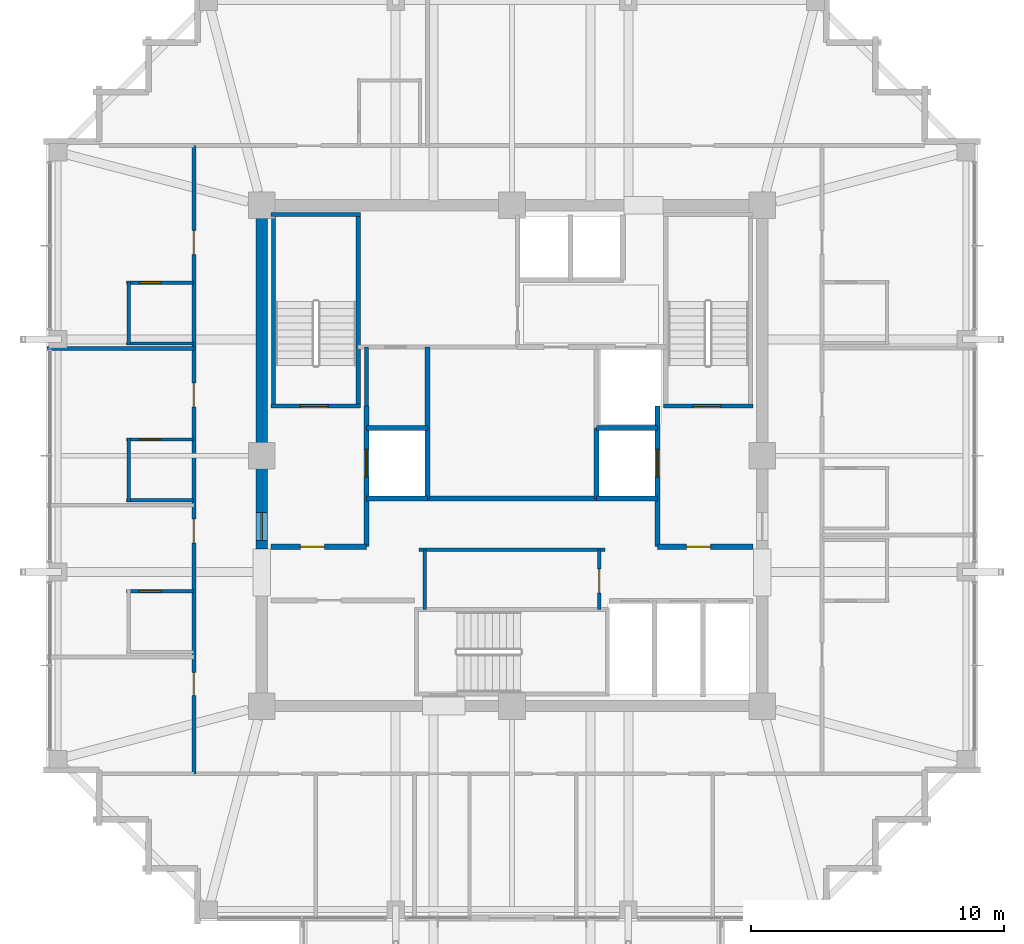
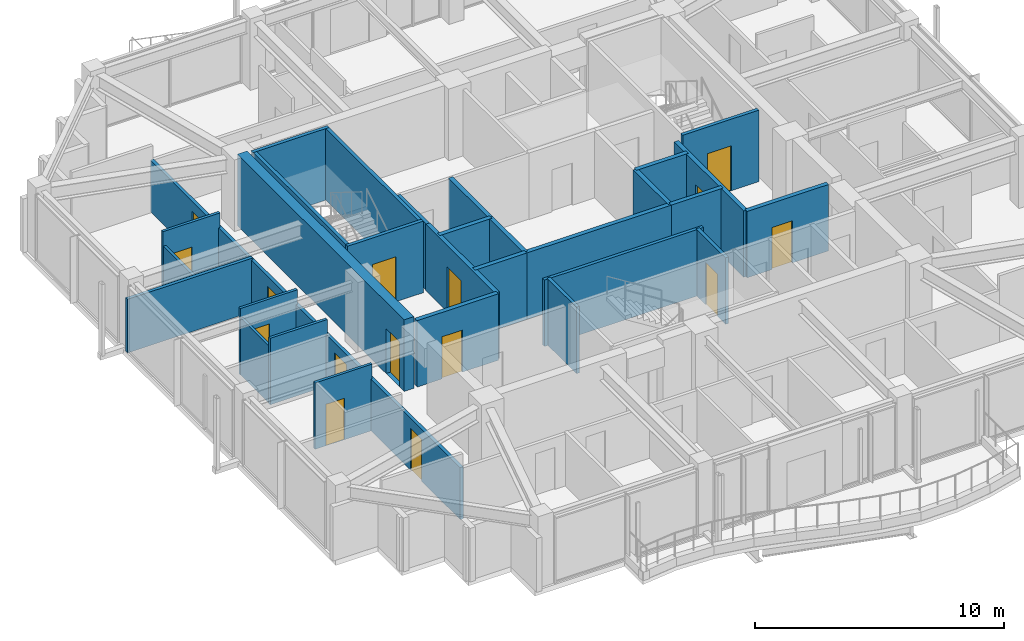
# One storey, part 27 of 31: 31 walls, 15 doors, 15 openings.
"""IFC4 building model written with IfcOpenShell, lengths in metres."""

from ifc_helpers import new_model, si_unit, direction, frame, frame_2d, origin, place, context, subcontext, project, spatial, rectangle, extrude, material, layer, layer_set, type_object, element, fill, save


model = new_model("IFC4")

# Units and contexts
model_context = context("Model", 3, precision=1e-05, world=origin(), true_north=direction((0.0, 1.0)))
body_context = subcontext(model_context, "Body", "Model", "MODEL_VIEW")
ifc_project = project(units=[si_unit("LENGTHUNIT", "METRE"), si_unit("AREAUNIT", "SQUARE_METRE"), si_unit("VOLUMEUNIT", "CUBIC_METRE"), si_unit("PLANEANGLEUNIT", "RADIAN"), si_unit("MASSUNIT", "GRAM", prefix="KILO")], contexts=[model_context])

# Site, building, storey
site_placement = place(None, origin())
site = spatial("IfcSite", under=ifc_project, at=site_placement, CompositionType="ELEMENT")
building_placement = place(site_placement, origin())
building = spatial("IfcBuilding", under=site, at=building_placement, Name="Kolvaren Belvedere", CompositionType="ELEMENT")
storey_placement = place(building_placement, frame((0.0, 0.0, 247.89990234375)))
storey = spatial("IfcBuildingStorey", under=building, at=storey_placement, Name="L72", CompositionType="ELEMENT", Elevation=247.89990234375)

# Wall, opening, door
ifc_material_1 = material(Name="Concrete C50/60", Category="concrete")
ifc_layer_1 = layer(ifc_material_1, 0.449951171875)
ifc_layer_set_1 = layer_set([ifc_layer_1], Name="Concrete C50/60")
wall_type_1 = type_object("IfcWallType", Name="CW-CORE-450", PredefinedType="SHEAR", material=ifc_layer_set_1)
wall_1_placement = place(storey_placement, frame((-9.89990234375, -3.699951171875, 0.0), z_axis=(0.0, 0.0, 1.0), x_axis=(0.0, 1.0, 0.0)))
wall_1 = element("IfcWall", 1, at=wall_1_placement, inside=storey, type_object=wall_type_1, Name="L72 West Core Shear Wall 2", PredefinedType="SHEAR", context=body_context, shape_type="SweptSolid", body=[
    extrude(rectangle(XDim=13.375, YDim=0.449951171875, at=frame_2d((6.6875, 0.0))), origin(), (0.0, 0.0, 1.0), 3.5),
])
opening_1_placement = place(wall_1_placement, frame((0.35009765625, 0.0, 0.0)))
opening_1 = element("IfcOpeningElement", 2, at=opening_1_placement, cuts=wall_1, Name="Opening D-FD90", PredefinedType="OPENING", context=body_context, shape_type="SweptSolid", body=[
    extrude(rectangle(XDim=1.10009765625, YDim=2.199951171875, at=frame_2d((0.550048828125, 1.10009765625))), frame((0.0, 0.23486328125, 0.0), z_axis=(0.0, -1.0, 0.0), x_axis=(1.0, 0.0, 0.0)), (0.0, 0.0, 1.0), 0.469970703125),
])
ifc_material_2 = material(Name="Painted hollow stainless steel", Category="steel")
door_type_1 = type_object("IfcDoorType", Name="DR-FD90-1100", OperationType="NOTDEFINED", PredefinedType="DOOR", material=ifc_material_2)
door_1_placement = place(opening_1_placement, origin())
door_1 = element("IfcDoor", 3, at=door_1_placement, inside=storey, type_object=door_type_1, Name="L72 West Firefighting Lobby Fire Door", OperationType="SINGLE_SWING_LEFT", OverallHeight=2.199951171875, OverallWidth=1.10009765625, PredefinedType="DOOR", context=body_context, shape_type="SweptSolid", body=[
    extrude(rectangle(XDim=1.10009765625, YDim=2.199951171875, at=frame_2d((0.550048828125, 1.10009765625))), frame((0.0, 0.02490234375, 0.0), z_axis=(0.0, -1.0, 0.0), x_axis=(1.0, 0.0, 0.0)), (0.0, 0.0, 1.0), 0.050048828125),
])
fill(opening_1, door_1)

ifc_material_3 = material(Name="Concrete C50/60", Category="concrete")
ifc_layer_2 = layer(ifc_material_3, 0.159912109375)
ifc_layer_set_2 = layer_set([ifc_layer_2], Name="Concrete C50/60")
wall_type_2 = type_object("IfcWallType", Name="CW-STAIR-160", PredefinedType="SHEAR", material=ifc_layer_set_2)
wall_2_placement = place(storey_placement, frame((-9.52001953125, 1.969970703125, 0.0), z_axis=(0.0, 0.0, 1.0), x_axis=(1.0, 0.0, 0.0)))
wall_2 = element("IfcWall", 4, at=wall_2_placement, inside=storey, type_object=wall_type_2, Name="L72 Stair ST-1 South Shear Wall", PredefinedType="SHEAR", context=body_context, shape_type="SweptSolid", body=[
    extrude(rectangle(XDim=3.52001953125, YDim=0.159912109375, at=frame_2d((1.760009765625, 0.0))), origin(), (0.0, 0.0, 1.0), 3.5),
])
opening_2_placement = place(wall_2_placement, frame((1.14990234375, 0.0, 0.0)))
opening_2 = element("IfcOpeningElement", 5, at=opening_2_placement, cuts=wall_2, Name="Opening D-FD90", PredefinedType="OPENING", context=body_context, shape_type="SweptSolid", body=[
    extrude(rectangle(XDim=1.10009765625, YDim=2.199951171875, at=frame_2d((0.550048828125, 1.10009765625))), frame((0.0, 0.08984375, 0.0), z_axis=(0.0, -1.0, 0.0), x_axis=(1.0, 0.0, 0.0)), (0.0, 0.0, 1.0), 0.179931640625),
])
door_2_placement = place(opening_2_placement, origin())
door_2 = element("IfcDoor", 6, at=door_2_placement, inside=storey, type_object=door_type_1, Name="L72 Stair ST-1 Fire Door", OperationType="SINGLE_SWING_LEFT", OverallHeight=2.199951171875, OverallWidth=1.10009765625, PredefinedType="DOOR", context=body_context, shape_type="SweptSolid", body=[
    extrude(rectangle(XDim=1.10009765625, YDim=2.199951171875, at=frame_2d((0.550048828125, 1.10009765625))), frame((0.0, 0.02490234375, 0.0), z_axis=(0.0, -1.0, 0.0), x_axis=(1.0, 0.0, 0.0)), (0.0, 0.0, 1.0), 0.050048828125),
])
fill(opening_2, door_2)

# Walls
wall_3_placement = place(storey_placement, frame((-9.52001953125, 9.530029296875, 0.0), z_axis=(0.0, 0.0, 1.0), x_axis=(1.0, 0.0, 0.0)))
element("IfcWall", 7, at=wall_3_placement, inside=storey, type_object=wall_type_2, Name="L72 Stair ST-1 North Shear Wall", PredefinedType="SHEAR", context=body_context, shape_type="SweptSolid", body=[
    extrude(rectangle(XDim=3.52001953125, YDim=0.159912109375, at=frame_2d((1.760009765625, 0.0))), origin(), (0.0, 0.0, 1.0), 3.5),
])
for number, where, z_axis, x_axis, name in (
    (8, (-9.429931640625, 1.969970703125, 0.0), (0.0, 0.0, 1.0), (0.0, 1.0, 0.0), "L72 Stair ST-1 West Shear Wall"),
    (9, (-6.080078125, 1.969970703125, 0.0), (0.0, 0.0, 1.0), (0.0, 1.0, 0.0), "L72 Stair ST-1 East Shear Wall"),
):
    element("IfcWall", number, at=place(storey_placement, frame(where, z_axis=z_axis, x_axis=x_axis)), inside=storey, type_object=wall_type_2, Name=name, PredefinedType="SHEAR", context=body_context, shape_type="SweptSolid", body=[
        extrude(rectangle(XDim=7.56005859375, YDim=0.159912109375, at=frame_2d((3.780029296875, 0.0))), origin(), (0.0, 0.0, 1.0), 3.5),
    ])

# Wall, opening, door
wall_4_placement = place(storey_placement, frame((6.0, 1.969970703125, 0.0), z_axis=(0.0, 0.0, 1.0), x_axis=(1.0, 0.0, 0.0)))
wall_4 = element("IfcWall", 10, at=wall_4_placement, inside=storey, type_object=wall_type_2, Name="L72 Stair ST-2 South Shear Wall", PredefinedType="SHEAR", context=body_context, shape_type="SweptSolid", body=[
    extrude(rectangle(XDim=3.52001953125, YDim=0.159912109375, at=frame_2d((1.760009765625, 0.0))), origin(), (0.0, 0.0, 1.0), 3.5),
])
opening_3_placement = place(wall_4_placement, frame((1.14990234375, 0.0, 0.0)))
opening_3 = element("IfcOpeningElement", 11, at=opening_3_placement, cuts=wall_4, Name="Opening D-FD90", PredefinedType="OPENING", context=body_context, shape_type="SweptSolid", body=[
    extrude(rectangle(XDim=1.10009765625, YDim=2.199951171875, at=frame_2d((0.550048828125, 1.10009765625))), frame((0.0, 0.08984375, 0.0), z_axis=(0.0, -1.0, 0.0), x_axis=(1.0, 0.0, 0.0)), (0.0, 0.0, 1.0), 0.179931640625),
])
door_3_placement = place(opening_3_placement, origin())
door_3 = element("IfcDoor", 12, at=door_3_placement, inside=storey, type_object=door_type_1, Name="L72 Stair ST-2 Fire Door", OperationType="SINGLE_SWING_RIGHT", OverallHeight=2.199951171875, OverallWidth=1.10009765625, PredefinedType="DOOR", context=body_context, shape_type="SweptSolid", body=[
    extrude(rectangle(XDim=1.10009765625, YDim=2.199951171875, at=frame_2d((0.550048828125, 1.10009765625))), frame((0.0, 0.02490234375, 0.0), z_axis=(0.0, -1.0, 0.0), x_axis=(1.0, 0.0, 0.0)), (0.0, 0.0, 1.0), 0.050048828125),
])
fill(opening_3, door_3)

# Wall, openings, doors
ifc_material_4 = material(Name="Gypsum fire-rated partition assembly", Category="gypsum")
ifc_layer_3 = layer(ifc_material_4, 0.14990234375)
ifc_layer_set_3 = layer_set([ifc_layer_3], Name="Gypsum fire-rated partition assembly")
wall_type_3 = type_object("IfcWallType", Name="WL-CORR-150", PredefinedType="PARTITIONING", material=ifc_layer_set_3)
wall_5_placement = place(storey_placement, frame((-12.580078125, -12.580078125, 0.0), z_axis=(0.0, 0.0, 1.0), x_axis=(0.0, 1.0, 0.0)))
wall_5 = element("IfcWall", 13, at=wall_5_placement, inside=storey, type_object=wall_type_3, Name="L72 West Corridor Wall", PredefinedType="PARTITIONING", context=body_context, shape_type="SweptSolid", body=[
    extrude(rectangle(XDim=24.840087890625, YDim=0.14990234375, at=frame_2d((12.419921875, 0.0))), origin(), (0.0, 0.0, 1.0), 2.5390625),
])
opening_4_placement = place(wall_5_placement, frame((3.1044921875, 0.0, 0.0)))
opening_4 = element("IfcOpeningElement", 14, at=opening_4_placement, cuts=wall_5, Name="Opening D-INT90", PredefinedType="OPENING", context=body_context, shape_type="SweptSolid", body=[
    extrude(rectangle(XDim=0.89990234375, YDim=2.06005859375, at=frame_2d((0.449951171875, 1.030029296875))), frame((0.0, 0.0849609375, 0.0), z_axis=(0.0, -1.0, 0.0), x_axis=(1.0, 0.0, 0.0)), (0.0, 0.0, 1.0), 0.169921875),
])
opening_5_placement = place(wall_5_placement, frame((9.119384765625, 0.0, 0.0)))
opening_5 = element("IfcOpeningElement", 15, at=opening_5_placement, cuts=wall_5, Name="Opening D-FD60", PredefinedType="OPENING", context=body_context, shape_type="SweptSolid", body=[
    extrude(rectangle(XDim=0.949951171875, YDim=2.06005859375, at=frame_2d((0.47509765625, 1.030029296875))), frame((0.0, 0.0849609375, 0.0), z_axis=(0.0, -1.0, 0.0), x_axis=(1.0, 0.0, 0.0)), (0.0, 0.0, 1.0), 0.169921875),
])
opening_6_placement = place(wall_5_placement, frame((14.49951171875, 0.0, 0.0)))
opening_6 = element("IfcOpeningElement", 16, at=opening_6_placement, cuts=wall_5, Name="Opening D-FD60", PredefinedType="OPENING", context=body_context, shape_type="SweptSolid", body=[
    extrude(rectangle(XDim=0.949951171875, YDim=2.06005859375, at=frame_2d((0.47509765625, 1.030029296875))), frame((0.0, 0.0849609375, 0.0), z_axis=(0.0, -1.0, 0.0), x_axis=(1.0, 0.0, 0.0)), (0.0, 0.0, 1.0), 0.169921875),
])
opening_7_placement = place(wall_5_placement, frame((20.534423828125, 0.0, 0.0)))
opening_7 = element("IfcOpeningElement", 17, at=opening_7_placement, cuts=wall_5, Name="Opening D-FD60", PredefinedType="OPENING", context=body_context, shape_type="SweptSolid", body=[
    extrude(rectangle(XDim=0.949951171875, YDim=2.06005859375, at=frame_2d((0.47509765625, 1.030029296875))), frame((0.0, 0.0849609375, 0.0), z_axis=(0.0, -1.0, 0.0), x_axis=(1.0, 0.0, 0.0)), (0.0, 0.0, 1.0), 0.169921875),
])
ifc_material_5 = material(Name="Acoustic white-oak fire door leaf", Category="timber")
door_type_2 = type_object("IfcDoorType", Name="DR-FD60-950", OperationType="NOTDEFINED", PredefinedType="DOOR", material=ifc_material_5)
door_4_placement = place(opening_5_placement, origin())
door_4 = element("IfcDoor", 18, at=door_4_placement, inside=storey, type_object=door_type_2, Name="L72 King Guest Room 7209 Entry Door", OperationType="SINGLE_SWING_RIGHT", OverallHeight=2.06005859375, OverallWidth=0.949951171875, PredefinedType="DOOR", context=body_context, shape_type="SweptSolid", body=[
    extrude(rectangle(XDim=0.949951171875, YDim=2.06005859375, at=frame_2d((0.47509765625, 1.030029296875))), frame((0.0, 0.02490234375, 0.0), z_axis=(0.0, -1.0, 0.0), x_axis=(1.0, 0.0, 0.0)), (0.0, 0.0, 1.0), 0.050048828125),
])
fill(opening_5, door_4)
door_5_placement = place(opening_6_placement, origin())
door_5 = element("IfcDoor", 19, at=door_5_placement, inside=storey, type_object=door_type_2, Name="L72 Botanical Hospitality Suite 7210 Entry Door", OperationType="SINGLE_SWING_RIGHT", OverallHeight=2.06005859375, OverallWidth=0.949951171875, PredefinedType="DOOR", context=body_context, shape_type="SweptSolid", body=[
    extrude(rectangle(XDim=0.949951171875, YDim=2.06005859375, at=frame_2d((0.47509765625, 1.030029296875))), frame((0.0, 0.02490234375, 0.0), z_axis=(0.0, -1.0, 0.0), x_axis=(1.0, 0.0, 0.0)), (0.0, 0.0, 1.0), 0.050048828125),
])
fill(opening_6, door_5)
door_6_placement = place(opening_7_placement, origin())
door_6 = element("IfcDoor", 20, at=door_6_placement, inside=storey, type_object=door_type_2, Name="L72 Botanical Hospitality Suite 7211 Entry Door", OperationType="SINGLE_SWING_RIGHT", OverallHeight=2.06005859375, OverallWidth=0.949951171875, PredefinedType="DOOR", context=body_context, shape_type="SweptSolid", body=[
    extrude(rectangle(XDim=0.949951171875, YDim=2.06005859375, at=frame_2d((0.47509765625, 1.030029296875))), frame((0.0, 0.02490234375, 0.0), z_axis=(0.0, -1.0, 0.0), x_axis=(1.0, 0.0, 0.0)), (0.0, 0.0, 1.0), 0.050048828125),
])
fill(opening_7, door_6)
ifc_material_6 = material(Name="Stained Pacific white oak", Category="timber")
door_type_3 = type_object("IfcDoorType", Name="DR-INT-900", OperationType="NOTDEFINED", PredefinedType="DOOR", material=ifc_material_6)
door_7_placement = place(opening_4_placement, origin())
door_7 = element("IfcDoor", 21, at=door_7_placement, inside=storey, type_object=door_type_3, Name="L72 Lounge 7208 Door", OperationType="SINGLE_SWING_RIGHT", OverallHeight=2.06005859375, OverallWidth=0.89990234375, PredefinedType="DOOR", context=body_context, shape_type="SweptSolid", body=[
    extrude(rectangle(XDim=0.89990234375, YDim=2.06005859375, at=frame_2d((0.449951171875, 1.030029296875))), frame((0.0, 0.02490234375, 0.0), z_axis=(0.0, -1.0, 0.0), x_axis=(1.0, 0.0, 0.0)), (0.0, 0.0, 1.0), 0.050048828125),
])
fill(opening_4, door_7)

# Wall
ifc_material_7 = material(Name="Gypsum acoustic partition assembly", Category="gypsum")
ifc_layer_4 = layer(ifc_material_7, 0.14990234375)
ifc_layer_set_4 = layer_set([ifc_layer_4], Name="Gypsum acoustic partition assembly")
wall_type_4 = type_object("IfcWallType", Name="WL-PART-150", PredefinedType="PARTITIONING", material=ifc_layer_set_4)
wall_6_placement = place(storey_placement, frame((-3.679931640625, -3.719970703125, 0.0), z_axis=(0.0, 0.0, 1.0), x_axis=(1.0, 0.0, 0.0)))
element("IfcWall", 22, at=wall_6_placement, inside=storey, type_object=wall_type_4, Name="L72 South Core Service North Wall", PredefinedType="PARTITIONING", context=body_context, shape_type="SweptSolid", body=[
    extrude(rectangle(XDim=7.35986328125, YDim=0.14990234375, at=frame_2d((3.679931640625, 0.0))), origin(), (0.0, 0.0, 1.0), 3.25),
])

# Wall, opening, door
wall_7_placement = place(storey_placement, frame((3.449951171875, -6.080078125, 0.0), z_axis=(0.0, 0.0, 1.0), x_axis=(0.0, 1.0, 0.0)))
wall_7 = element("IfcWall", 23, at=wall_7_placement, inside=storey, type_object=wall_type_4, Name="L72 South Core Service East Wall", PredefinedType="PARTITIONING", context=body_context, shape_type="SweptSolid", body=[
    extrude(rectangle(XDim=2.360107421875, YDim=0.14990234375, at=frame_2d((1.18017578125, 0.0))), origin(), (0.0, 0.0, 1.0), 3.25),
])
opening_8_placement = place(wall_7_placement, frame((0.64990234375, 0.0, 0.0)))
opening_8 = element("IfcOpeningElement", 24, at=opening_8_placement, cuts=wall_7, Name="Opening D-FD60", PredefinedType="OPENING", context=body_context, shape_type="SweptSolid", body=[
    extrude(rectangle(XDim=0.949951171875, YDim=2.06005859375, at=frame_2d((0.47509765625, 1.030029296875))), frame((0.0, 0.0849609375, 0.0), z_axis=(0.0, -1.0, 0.0), x_axis=(1.0, 0.0, 0.0)), (0.0, 0.0, 1.0), 0.169921875),
])
door_8_placement = place(opening_8_placement, origin())
door_8 = element("IfcDoor", 25, at=door_8_placement, inside=storey, type_object=door_type_2, Name="L72 Core Service Room Door", OperationType="SINGLE_SWING_LEFT", OverallHeight=2.06005859375, OverallWidth=0.949951171875, PredefinedType="DOOR", context=body_context, shape_type="SweptSolid", body=[
    extrude(rectangle(XDim=0.949951171875, YDim=2.06005859375, at=frame_2d((0.47509765625, 1.030029296875))), frame((0.0, 0.02490234375, 0.0), z_axis=(0.0, -1.0, 0.0), x_axis=(1.0, 0.0, 0.0)), (0.0, 0.0, 1.0), 0.050048828125),
])
fill(opening_8, door_8)

# Walls
wall_8_placement = place(storey_placement, frame((-3.449951171875, -6.080078125, 0.0), z_axis=(0.0, 0.0, 1.0), x_axis=(0.0, 1.0, 0.0)))
element("IfcWall", 26, at=wall_8_placement, inside=storey, type_object=wall_type_4, Name="L72 South Core Service West Wall", PredefinedType="PARTITIONING", context=body_context, shape_type="SweptSolid", body=[
    extrude(rectangle(XDim=2.360107421875, YDim=0.14990234375, at=frame_2d((1.18017578125, 0.0))), origin(), (0.0, 0.0, 1.0), 3.25),
])
wall_9_placement = place(storey_placement, frame((-5.75, 1.969970703125, 0.0), z_axis=(0.0, 0.0, 1.0), x_axis=(0.0, 1.0, 0.0)))
element("IfcWall", 27, at=wall_9_placement, inside=storey, type_object=wall_type_4, Name="L72 NW Service Room West Wall", PredefinedType="PARTITIONING", context=body_context, shape_type="SweptSolid", body=[
    extrude(rectangle(XDim=2.330078125, YDim=0.14990234375, at=frame_2d((1.1650390625, 0.0))), origin(), (0.0, 0.0, 1.0), 3.25),
])
wall_10_placement = place(storey_placement, frame((-18.3798828125, 4.243896484375, 0.0), z_axis=(0.0, 0.0, 1.0), x_axis=(1.0, 0.0, 0.0)))
element("IfcWall", 28, at=wall_10_placement, inside=storey, type_object=wall_type_4, Name="L72 West Suite Demising Wall 3", PredefinedType="PARTITIONING", context=body_context, shape_type="SweptSolid", body=[
    extrude(rectangle(XDim=5.7998046875, YDim=0.14990234375, at=frame_2d((2.89990234375, 0.0))), origin(), (0.0, 0.0, 1.0), 2.623046875),
])

# Wall, opening, door
ifc_material_8 = material(Name="Concrete C50/60", Category="concrete")
ifc_layer_5 = layer(ifc_material_8, 0.199951171875)
ifc_layer_set_5 = layer_set([ifc_layer_5], Name="Concrete C50/60")
wall_type_5 = type_object("IfcWallType", Name="WL-SHAFT-200", PredefinedType="SOLIDWALL", material=ifc_layer_set_5)
wall_11_placement = place(storey_placement, frame((-9.52001953125, -3.60009765625, 0.0), z_axis=(0.0, 0.0, 1.0), x_axis=(1.0, 0.0, 0.0)))
wall_11 = element("IfcWall", 29, at=wall_11_placement, inside=storey, type_object=wall_type_5, Name="L72 West FSAE Lobby South Wall", PredefinedType="SOLIDWALL", context=body_context, shape_type="SweptSolid", body=[
    extrude(rectangle(XDim=3.77001953125, YDim=0.199951171875, at=frame_2d((1.885009765625, 0.0))), origin(), (0.0, 0.0, 1.0), 3.25),
])
opening_9_placement = place(wall_11_placement, frame((1.14990234375, 0.0, 0.0)))
opening_9 = element("IfcOpeningElement", 30, at=opening_9_placement, cuts=wall_11, Name="Opening D-FD60", PredefinedType="OPENING", context=body_context, shape_type="SweptSolid", body=[
    extrude(rectangle(XDim=0.949951171875, YDim=2.06005859375, at=frame_2d((0.47509765625, 1.030029296875))), frame((0.0, 0.10986328125, 0.0), z_axis=(0.0, -1.0, 0.0), x_axis=(1.0, 0.0, 0.0)), (0.0, 0.0, 1.0), 0.219970703125),
])
door_9_placement = place(opening_9_placement, origin())
door_9 = element("IfcDoor", 31, at=door_9_placement, inside=storey, type_object=door_type_2, Name="L72 SW Lobby Fire Door", OperationType="SINGLE_SWING_LEFT", OverallHeight=2.06005859375, OverallWidth=0.949951171875, PredefinedType="DOOR", context=body_context, shape_type="SweptSolid", body=[
    extrude(rectangle(XDim=0.949951171875, YDim=2.06005859375, at=frame_2d((0.47509765625, 1.030029296875))), frame((0.0, 0.02490234375, 0.0), z_axis=(0.0, -1.0, 0.0), x_axis=(1.0, 0.0, 0.0)), (0.0, 0.0, 1.0), 0.050048828125),
])
fill(opening_9, door_9)

wall_12_placement = place(storey_placement, frame((-5.75, -3.60009765625, 0.0), z_axis=(0.0, 0.0, 1.0), x_axis=(0.0, 1.0, 0.0)))
wall_12 = element("IfcWall", 32, at=wall_12_placement, inside=storey, type_object=wall_type_5, Name="L72 FSAE FS1 Landing Wall", PredefinedType="SOLIDWALL", context=body_context, shape_type="SweptSolid", body=[
    extrude(rectangle(XDim=5.570068359375, YDim=0.199951171875, at=frame_2d((2.78515625, 0.0))), origin(), (0.0, 0.0, 1.0), 3.25),
])
opening_10_placement = place(wall_12_placement, frame((2.75, 0.0, 0.0)))
opening_10 = element("IfcOpeningElement", 33, at=opening_10_placement, cuts=wall_12, Name="Opening LD-11", PredefinedType="OPENING", context=body_context, shape_type="SweptSolid", body=[
    extrude(rectangle(XDim=1.10009765625, YDim=2.199951171875, at=frame_2d((0.550048828125, 1.10009765625))), frame((0.0, 0.10986328125, 0.0), z_axis=(0.0, -1.0, 0.0), x_axis=(1.0, 0.0, 0.0)), (0.0, 0.0, 1.0), 0.219970703125),
])
ifc_material_9 = material(Name="Brushed stainless steel", Category="steel")
door_type_4 = type_object("IfcDoorType", Name="DR-LIFT-1100", OperationType="DOUBLE_DOOR_SLIDING", PredefinedType="DOOR", material=ifc_material_9)
door_10_placement = place(opening_10_placement, origin())
door_10 = element("IfcDoor", 34, at=door_10_placement, inside=storey, type_object=door_type_4, Name="L72 Firefighting Lift FS1 Landing Door", OperationType="DOUBLE_DOOR_SLIDING", OverallHeight=2.199951171875, OverallWidth=1.10009765625, PredefinedType="DOOR", context=body_context, shape_type="SweptSolid", body=[
    extrude(rectangle(XDim=1.10009765625, YDim=2.199951171875, at=frame_2d((0.550048828125, 1.10009765625))), frame((0.0, 0.02490234375, 0.0), z_axis=(0.0, -1.0, 0.0), x_axis=(1.0, 0.0, 0.0)), (0.0, 0.0, 1.0), 0.050048828125),
])
fill(opening_10, door_10)

# Walls
wall_13_placement = place(storey_placement, frame((-3.35009765625, -1.699951171875, 0.0), z_axis=(0.0, 0.0, 1.0), x_axis=(0.0, 1.0, 0.0)))
element("IfcWall", 35, at=wall_13_placement, inside=storey, type_object=wall_type_5, Name="L72 FSAE FS1 Back Wall", PredefinedType="SOLIDWALL", context=body_context, shape_type="SweptSolid", body=[
    extrude(rectangle(XDim=2.800048828125, YDim=0.199951171875, at=frame_2d((1.39990234375, 0.0))), origin(), (0.0, 0.0, 1.0), 3.25),
])
for number, where, z_axis, x_axis, name in (
    (36, (-5.75, -1.699951171875, 0.0), (0.0, 0.0, 1.0), (1.0, 0.0, 0.0), "L72 FSAE FS1 South Wall"),
    (37, (-5.75, 1.10009765625, 0.0), (0.0, 0.0, 1.0), (1.0, 0.0, 0.0), "L72 FSAE FS1 North Wall"),
):
    element("IfcWall", number, at=place(storey_placement, frame(where, z_axis=z_axis, x_axis=x_axis)), inside=storey, type_object=wall_type_5, Name=name, PredefinedType="SOLIDWALL", context=body_context, shape_type="SweptSolid", body=[
        extrude(rectangle(XDim=2.39990234375, YDim=0.199951171875, at=frame_2d((1.199951171875, 0.0))), origin(), (0.0, 0.0, 1.0), 3.25),
    ])

# Wall, opening, door
wall_14_placement = place(storey_placement, frame((5.75, -3.60009765625, 0.0), z_axis=(0.0, 0.0, 1.0), x_axis=(1.0, 0.0, 0.0)))
wall_14 = element("IfcWall", 38, at=wall_14_placement, inside=storey, type_object=wall_type_5, Name="L72 East FSAE Lobby South Wall", PredefinedType="SOLIDWALL", context=body_context, shape_type="SweptSolid", body=[
    extrude(rectangle(XDim=3.77001953125, YDim=0.199951171875, at=frame_2d((1.885009765625, 0.0))), origin(), (0.0, 0.0, 1.0), 3.25),
])
opening_11_placement = place(wall_14_placement, frame((1.14990234375, 0.0, 0.0)))
opening_11 = element("IfcOpeningElement", 39, at=opening_11_placement, cuts=wall_14, Name="Opening D-FD60", PredefinedType="OPENING", context=body_context, shape_type="SweptSolid", body=[
    extrude(rectangle(XDim=0.949951171875, YDim=2.06005859375, at=frame_2d((0.47509765625, 1.030029296875))), frame((0.0, 0.10986328125, 0.0), z_axis=(0.0, -1.0, 0.0), x_axis=(1.0, 0.0, 0.0)), (0.0, 0.0, 1.0), 0.219970703125),
])
door_11_placement = place(opening_11_placement, origin())
door_11 = element("IfcDoor", 40, at=door_11_placement, inside=storey, type_object=door_type_2, Name="L72 SE Lift Lobby Fire Door", OperationType="SINGLE_SWING_RIGHT", OverallHeight=2.06005859375, OverallWidth=0.949951171875, PredefinedType="DOOR", context=body_context, shape_type="SweptSolid", body=[
    extrude(rectangle(XDim=0.949951171875, YDim=2.06005859375, at=frame_2d((0.47509765625, 1.030029296875))), frame((0.0, 0.02490234375, 0.0), z_axis=(0.0, -1.0, 0.0), x_axis=(1.0, 0.0, 0.0)), (0.0, 0.0, 1.0), 0.050048828125),
])
fill(opening_11, door_11)

wall_15_placement = place(storey_placement, frame((5.75, -3.60009765625, 0.0), z_axis=(0.0, 0.0, 1.0), x_axis=(0.0, 1.0, 0.0)))
wall_15 = element("IfcWall", 41, at=wall_15_placement, inside=storey, type_object=wall_type_5, Name="L72 FSAE FS2 Landing Wall", PredefinedType="SOLIDWALL", context=body_context, shape_type="SweptSolid", body=[
    extrude(rectangle(XDim=5.570068359375, YDim=0.199951171875, at=frame_2d((2.78515625, 0.0))), origin(), (0.0, 0.0, 1.0), 3.25),
])
opening_12_placement = place(wall_15_placement, frame((2.75, 0.0, 0.0)))
opening_12 = element("IfcOpeningElement", 42, at=opening_12_placement, cuts=wall_15, Name="Opening LD-11", PredefinedType="OPENING", context=body_context, shape_type="SweptSolid", body=[
    extrude(rectangle(XDim=1.10009765625, YDim=2.199951171875, at=frame_2d((0.550048828125, 1.10009765625))), frame((0.0, 0.10986328125, 0.0), z_axis=(0.0, -1.0, 0.0), x_axis=(1.0, 0.0, 0.0)), (0.0, 0.0, 1.0), 0.219970703125),
])
door_12_placement = place(opening_12_placement, origin())
door_12 = element("IfcDoor", 43, at=door_12_placement, inside=storey, type_object=door_type_4, Name="L72 Firefighting Lift FS2 Landing Door", OperationType="DOUBLE_DOOR_SLIDING", OverallHeight=2.199951171875, OverallWidth=1.10009765625, PredefinedType="DOOR", context=body_context, shape_type="SweptSolid", body=[
    extrude(rectangle(XDim=1.10009765625, YDim=2.199951171875, at=frame_2d((0.550048828125, 1.10009765625))), frame((0.0, 0.02490234375, 0.0), z_axis=(0.0, -1.0, 0.0), x_axis=(1.0, 0.0, 0.0)), (0.0, 0.0, 1.0), 0.050048828125),
])
fill(opening_12, door_12)

# Walls
wall_16_placement = place(storey_placement, frame((3.35009765625, -1.699951171875, 0.0), z_axis=(0.0, 0.0, 1.0), x_axis=(0.0, 1.0, 0.0)))
element("IfcWall", 44, at=wall_16_placement, inside=storey, type_object=wall_type_5, Name="L72 FSAE FS2 Back Wall", PredefinedType="SOLIDWALL", context=body_context, shape_type="SweptSolid", body=[
    extrude(rectangle(XDim=2.800048828125, YDim=0.199951171875, at=frame_2d((1.39990234375, 0.0))), origin(), (0.0, 0.0, 1.0), 3.25),
])
for number, where, z_axis, x_axis, name in (
    (45, (3.35009765625, -1.699951171875, 0.0), (0.0, 0.0, 1.0), (1.0, 0.0, 0.0), "L72 FSAE FS2 South Wall"),
    (46, (3.35009765625, 1.10009765625, 0.0), (0.0, 0.0, 1.0), (1.0, 0.0, 0.0), "L72 FSAE FS2 North Wall"),
):
    element("IfcWall", number, at=place(storey_placement, frame(where, z_axis=z_axis, x_axis=x_axis)), inside=storey, type_object=wall_type_5, Name=name, PredefinedType="SOLIDWALL", context=body_context, shape_type="SweptSolid", body=[
        extrude(rectangle(XDim=2.39990234375, YDim=0.199951171875, at=frame_2d((1.199951171875, 0.0))), origin(), (0.0, 0.0, 1.0), 3.25),
    ])
wall_17_placement = place(storey_placement, frame((-3.35009765625, -1.699951171875, 0.0), z_axis=(0.0, 0.0, 1.0), x_axis=(1.0, 0.0, 0.0)))
element("IfcWall", 47, at=wall_17_placement, inside=storey, type_object=wall_type_5, Name="L72 Central Core Room South Wall", PredefinedType="SOLIDWALL", context=body_context, shape_type="SweptSolid", body=[
    extrude(rectangle(XDim=6.7001953125, YDim=0.199951171875, at=frame_2d((3.35009765625, 0.0))), origin(), (0.0, 0.0, 1.0), 3.25),
])
wall_18_placement = place(storey_placement, frame((-3.35009765625, 1.10009765625, 0.0), z_axis=(0.0, 0.0, 1.0), x_axis=(0.0, 1.0, 0.0)))
element("IfcWall", 48, at=wall_18_placement, inside=storey, type_object=wall_type_5, Name="L72 Central Core Room West Wall", PredefinedType="SOLIDWALL", context=body_context, shape_type="SweptSolid", body=[
    extrude(rectangle(XDim=3.199951171875, YDim=0.199951171875, at=frame_2d((1.60009765625, 0.0))), origin(), (0.0, 0.0, 1.0), 3.25),
])

# Wall, opening, door
ifc_material_10 = material(Name="Moisture-resistant gypsum partition", Category="gypsum")
ifc_layer_6 = layer(ifc_material_10, 0.125)
ifc_layer_set_6 = layer_set([ifc_layer_6], Name="Moisture-resistant gypsum partition")
wall_type_6 = type_object("IfcWallType", Name="WL-WET-125", PredefinedType="PARTITIONING", material=ifc_layer_set_6)
wall_19_placement = place(storey_placement, frame((-15.235107421875, -5.361083984375, 0.0), z_axis=(0.0, 0.0, 1.0), x_axis=(1.0, 0.0, 0.0)))
wall_19 = element("IfcWall", 49, at=wall_19_placement, inside=storey, type_object=wall_type_6, Name="L72 Bathroom Partition PW-L72-BTH-9-N", PredefinedType="PARTITIONING", context=body_context, shape_type="SweptSolid", body=[
    extrude(rectangle(XDim=2.64013671875, YDim=0.125, at=frame_2d((1.320068359375, 0.0))), origin(), (0.0, 0.0, 1.0), 3.25),
])
opening_13_placement = place(wall_19_placement, frame((0.5, 0.0, 0.0)))
opening_13 = element("IfcOpeningElement", 50, at=opening_13_placement, cuts=wall_19, Name="Opening D-BTH85", PredefinedType="OPENING", context=body_context, shape_type="SweptSolid", body=[
    extrude(rectangle(XDim=0.85009765625, YDim=2.030029296875, at=frame_2d((0.425048828125, 1.01513671875))), frame((0.0, 0.072509765625, 0.0), z_axis=(0.0, -1.0, 0.0), x_axis=(1.0, 0.0, 0.0)), (0.0, 0.0, 1.0), 0.14501953125),
])
ifc_material_11 = material(Name="Moisture-sealed Pacific white oak", Category="timber")
door_type_5 = type_object("IfcDoorType", Name="DR-BATH-850", OperationType="NOTDEFINED", PredefinedType="DOOR", material=ifc_material_11)
door_13_placement = place(opening_13_placement, origin())
door_13 = element("IfcDoor", 51, at=door_13_placement, inside=storey, type_object=door_type_5, Name="L72 En-Suite Bathroom 7209 Door", OperationType="SINGLE_SWING_LEFT", OverallHeight=2.030029296875, OverallWidth=0.85009765625, PredefinedType="DOOR", context=body_context, shape_type="SweptSolid", body=[
    extrude(rectangle(XDim=0.85009765625, YDim=2.030029296875, at=frame_2d((0.425048828125, 1.01513671875))), frame((0.0, 0.02490234375, 0.0), z_axis=(0.0, -1.0, 0.0), x_axis=(1.0, 0.0, 0.0)), (0.0, 0.0, 1.0), 0.050048828125),
])
fill(opening_13, door_13)

wall_20_placement = place(storey_placement, frame((-15.235107421875, 0.638916015625, 0.0), z_axis=(0.0, 0.0, 1.0), x_axis=(1.0, 0.0, 0.0)))
wall_20 = element("IfcWall", 52, at=wall_20_placement, inside=storey, type_object=wall_type_6, Name="L72 Bathroom Partition PW-L72-BTH-10-N", PredefinedType="PARTITIONING", context=body_context, shape_type="SweptSolid", body=[
    extrude(rectangle(XDim=2.64013671875, YDim=0.125, at=frame_2d((1.320068359375, 0.0))), origin(), (0.0, 0.0, 1.0), 3.25),
])
opening_14_placement = place(wall_20_placement, frame((0.5, 0.0, 0.0)))
opening_14 = element("IfcOpeningElement", 53, at=opening_14_placement, cuts=wall_20, Name="Opening D-BTH85", PredefinedType="OPENING", context=body_context, shape_type="SweptSolid", body=[
    extrude(rectangle(XDim=0.85009765625, YDim=2.030029296875, at=frame_2d((0.425048828125, 1.01513671875))), frame((0.0, 0.072509765625, 0.0), z_axis=(0.0, -1.0, 0.0), x_axis=(1.0, 0.0, 0.0)), (0.0, 0.0, 1.0), 0.14501953125),
])
door_14_placement = place(opening_14_placement, origin())
door_14 = element("IfcDoor", 54, at=door_14_placement, inside=storey, type_object=door_type_5, Name="L72 En-Suite Bathroom 7210 Door", OperationType="SINGLE_SWING_LEFT", OverallHeight=2.030029296875, OverallWidth=0.85009765625, PredefinedType="DOOR", context=body_context, shape_type="SweptSolid", body=[
    extrude(rectangle(XDim=0.85009765625, YDim=2.030029296875, at=frame_2d((0.425048828125, 1.01513671875))), frame((0.0, 0.02490234375, 0.0), z_axis=(0.0, -1.0, 0.0), x_axis=(1.0, 0.0, 0.0)), (0.0, 0.0, 1.0), 0.050048828125),
])
fill(opening_14, door_14)

# Walls
wall_21_placement = place(storey_placement, frame((-15.155029296875, -1.821044921875, 0.0), z_axis=(0.0, 0.0, 1.0), x_axis=(0.0, 1.0, 0.0)))
element("IfcWall", 55, at=wall_21_placement, inside=storey, type_object=wall_type_6, Name="L72 Bathroom Partition PW-L72-BTH-10-V", PredefinedType="PARTITIONING", context=body_context, shape_type="SweptSolid", body=[
    extrude(rectangle(XDim=2.52001953125, YDim=0.125, at=frame_2d((1.260009765625, 0.0))), origin(), (0.0, 0.0, 1.0), 2.775146484375),
])
wall_22_placement = place(storey_placement, frame((-15.235107421875, -1.760986328125, 0.0), z_axis=(0.0, 0.0, 1.0), x_axis=(1.0, 0.0, 0.0)))
element("IfcWall", 56, at=wall_22_placement, inside=storey, type_object=wall_type_6, Name="L72 Bathroom Partition PW-L72-BTH-10-S", PredefinedType="PARTITIONING", context=body_context, shape_type="SweptSolid", body=[
    extrude(rectangle(XDim=2.64013671875, YDim=0.125, at=frame_2d((1.320068359375, 0.0))), origin(), (0.0, 0.0, 1.0), 3.25),
])

# Wall, opening, door
wall_23_placement = place(storey_placement, frame((-15.235107421875, 6.839111328125, 0.0), z_axis=(0.0, 0.0, 1.0), x_axis=(1.0, 0.0, 0.0)))
wall_23 = element("IfcWall", 57, at=wall_23_placement, inside=storey, type_object=wall_type_6, Name="L72 Bathroom Partition PW-L72-BTH-11-N", PredefinedType="PARTITIONING", context=body_context, shape_type="SweptSolid", body=[
    extrude(rectangle(XDim=2.64013671875, YDim=0.125, at=frame_2d((1.320068359375, 0.0))), origin(), (0.0, 0.0, 1.0), 3.25),
])
opening_15_placement = place(wall_23_placement, frame((0.5, 0.0, 0.0)))
opening_15 = element("IfcOpeningElement", 58, at=opening_15_placement, cuts=wall_23, Name="Opening D-BTH85", PredefinedType="OPENING", context=body_context, shape_type="SweptSolid", body=[
    extrude(rectangle(XDim=0.85009765625, YDim=2.030029296875, at=frame_2d((0.425048828125, 1.01513671875))), frame((0.0, 0.072509765625, 0.0), z_axis=(0.0, -1.0, 0.0), x_axis=(1.0, 0.0, 0.0)), (0.0, 0.0, 1.0), 0.14501953125),
])
door_15_placement = place(opening_15_placement, origin())
door_15 = element("IfcDoor", 59, at=door_15_placement, inside=storey, type_object=door_type_5, Name="L72 En-Suite Bathroom 7211 Door", OperationType="SINGLE_SWING_LEFT", OverallHeight=2.030029296875, OverallWidth=0.85009765625, PredefinedType="DOOR", context=body_context, shape_type="SweptSolid", body=[
    extrude(rectangle(XDim=0.85009765625, YDim=2.030029296875, at=frame_2d((0.425048828125, 1.01513671875))), frame((0.0, 0.02490234375, 0.0), z_axis=(0.0, -1.0, 0.0), x_axis=(1.0, 0.0, 0.0)), (0.0, 0.0, 1.0), 0.050048828125),
])
fill(opening_15, door_15)

# Walls
wall_24_placement = place(storey_placement, frame((-15.155029296875, 4.37890625, 0.0), z_axis=(0.0, 0.0, 1.0), x_axis=(0.0, 1.0, 0.0)))
element("IfcWall", 60, at=wall_24_placement, inside=storey, type_object=wall_type_6, Name="L72 Bathroom Partition PW-L72-BTH-11-V", PredefinedType="PARTITIONING", context=body_context, shape_type="SweptSolid", body=[
    extrude(rectangle(XDim=2.52001953125, YDim=0.125, at=frame_2d((1.260009765625, 0.0))), origin(), (0.0, 0.0, 1.0), 2.5390625),
])
wall_25_placement = place(storey_placement, frame((-15.235107421875, 4.43896484375, 0.0), z_axis=(0.0, 0.0, 1.0), x_axis=(1.0, 0.0, 0.0)))
element("IfcWall", 61, at=wall_25_placement, inside=storey, type_object=wall_type_6, Name="L72 Bathroom Partition PW-L72-BTH-11-S", PredefinedType="PARTITIONING", context=body_context, shape_type="SweptSolid", body=[
    extrude(rectangle(XDim=2.64013671875, YDim=0.125, at=frame_2d((1.320068359375, 0.0))), origin(), (0.0, 0.0, 1.0), 2.5390625),
])

save(model, "model.ifc")
